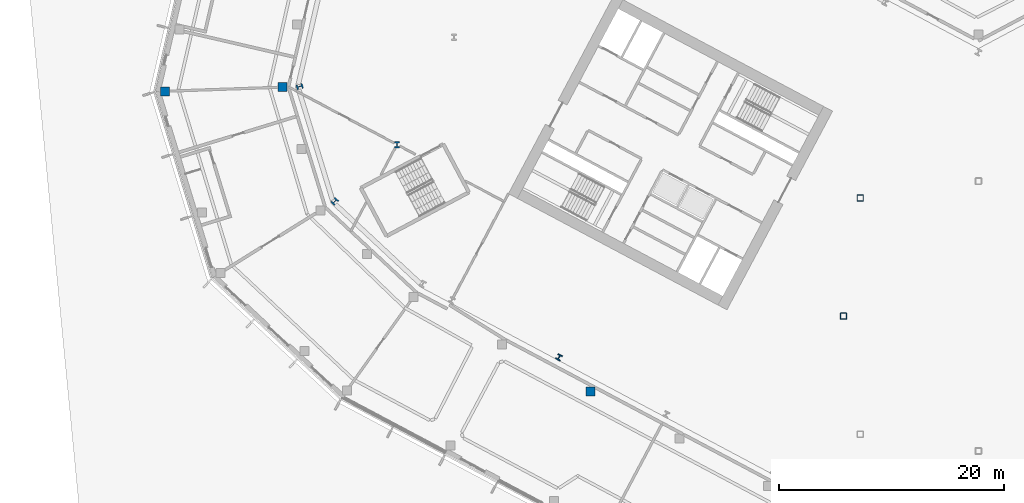
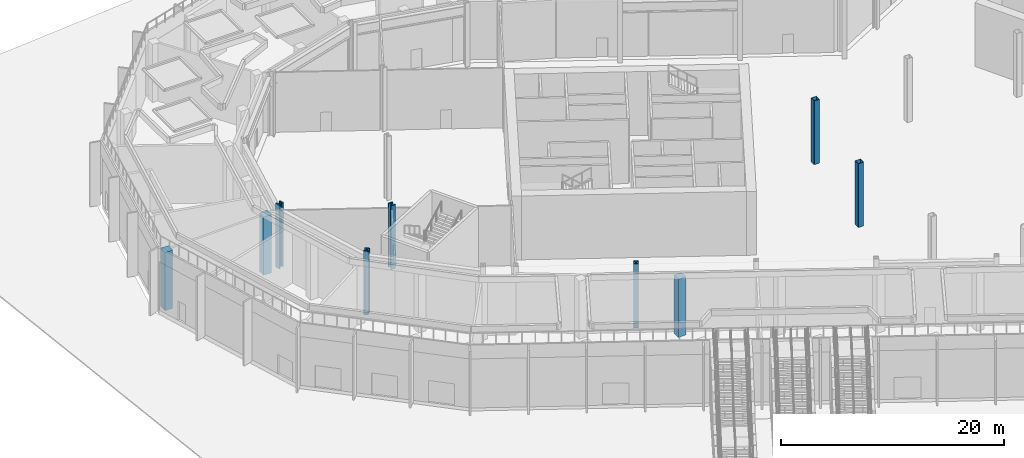
# One storey, part 2 of 57: 9 columns.
"""IFC4 building model written with IfcOpenShell, lengths in metres."""

from ifc_helpers import new_model, si_unit, direction, frame, origin, origin_2d, place, context, subcontext, project, spatial, rectangle, hollow_rectangle, i_section, extrude, material, material_profile, profile_set, type_object, element, save


model = new_model("IFC4")

# Units and contexts
model_context = context("Model", 3, precision=1e-05, world=origin(), true_north=direction((0.0, 1.0)))
body_context = subcontext(model_context, "Body", "Model", "MODEL_VIEW")
ifc_project = project(units=[si_unit("LENGTHUNIT", "METRE"), si_unit("AREAUNIT", "SQUARE_METRE"), si_unit("VOLUMEUNIT", "CUBIC_METRE"), si_unit("PLANEANGLEUNIT", "RADIAN"), si_unit("MASSUNIT", "GRAM", prefix="KILO")], contexts=[model_context])

# Site, building, storey
site_placement = place(None, origin())
site = spatial("IfcSite", under=ifc_project, at=site_placement, CompositionType="ELEMENT")
building_placement = place(site_placement, origin())
building = spatial("IfcBuilding", under=site, at=building_placement, Name="Cormorant Relay Tower", CompositionType="ELEMENT")
storey_placement = place(building_placement, origin())
storey = spatial("IfcBuildingStorey", under=building, at=storey_placement, Name="L00", CompositionType="ELEMENT", Elevation=0.0)

# Columns
ifc_material_1 = material(Name="Concrete 50 MPa", Category="concrete")
ifc_material_profile_1 = material_profile(ifc_material_1, rectangle(XDim=0.800048828125, YDim=0.800048828125, at=origin_2d()), Name="RC 800x800")
ifc_profile_set_1 = profile_set([ifc_material_profile_1], Name="Concrete 50 MPa")
column_type_1 = type_object("IfcColumnType", Name="Base column 800 x 800", PredefinedType="COLUMN", material=ifc_profile_set_1)
for number, where, z_axis, x_axis, name in (
    (1, (-34.465087890625, -6.7041015625, 0.0), (0.0, 0.0, 1.0), (1.0, 0.0, 0.0), "Base column"),
    (2, (-72.30810546875, 19.989013671875, 0.0), (0.0, 0.0, 1.0), (1.0, 0.0, 0.0), "Base column"),
    (3, (-61.85791015625, 20.35400390625, 0.0), (0.0, 0.0, 1.0), (1.0, 0.0, 0.0), "Base column"),
):
    element("IfcColumn", number, at=place(storey_placement, frame(where, z_axis=z_axis, x_axis=x_axis)), inside=storey, type_object=column_type_1, Name=name, PredefinedType="COLUMN", context=body_context, shape_type="SweptSolid", body=[
        extrude(rectangle(XDim=0.800048828125, YDim=0.800048828125, at=origin_2d()), origin(), (0.0, 0.0, 1.0), 6.3701171875),
    ])
ifc_material_2 = material(Name="Steel ASTM A1085 Grade A (Fy 345 MPa)", Category="steel")
ifc_material_profile_2 = material_profile(ifc_material_2, hollow_rectangle(XDim=0.558837890625, YDim=0.558837890625, WallThickness=0.023681640625, InnerFilletRadius=0.01171875, OuterFilletRadius=0.035400390625, at=origin_2d()), Name="HSS559x559x24")
ifc_profile_set_2 = profile_set([ifc_material_profile_2], Name="Steel ASTM A1085 Grade A (Fy 345 MPa)")
column_type_2 = type_object("IfcColumnType", Name="Column HSS559x559x24", PredefinedType="COLUMN", material=ifc_profile_set_2)
for number, where, z_axis, x_axis, name in (
    (4, (-12.0, 0.0, 0.0), (0.0, 0.0, 1.0), (1.0, 0.0, 0.0), "Column L00-015"),
    (5, (-10.5, 10.5, 0.0), (0.0, 0.0, 1.0), (1.0, 0.0, 0.0), "Column L00-022"),
):
    element("IfcColumn", number, at=place(storey_placement, frame(where, z_axis=z_axis, x_axis=x_axis)), inside=storey, type_object=column_type_2, Name=name, PredefinedType="COLUMN", context=body_context, shape_type="SweptSolid", body=[
        extrude(hollow_rectangle(XDim=0.558837890625, YDim=0.558837890625, WallThickness=0.023681640625, InnerFilletRadius=0.01171875, OuterFilletRadius=0.035400390625, at=origin_2d()), origin(), (0.0, 0.0, 1.0), 7.0),
    ])
ifc_material_3 = material(Name="Steel ASTM A992 (Fy 345 MPa)", Category="steel")
ifc_material_profile_3 = material_profile(ifc_material_3, i_section(OverallWidth=0.45458984375, OverallDepth=0.569091796875, WebThickness=0.077880859375, FlangeThickness=0.124755859375, FilletRadius=0.015380859375, at=origin_2d()), Name="W360x1086")
ifc_profile_set_3 = profile_set([ifc_material_profile_3], Name="Steel ASTM A992 (Fy 345 MPa)")
column_type_3 = type_object("IfcColumnType", Name="Column W360x1086", PredefinedType="COLUMN", material=ifc_profile_set_3)
for number, where, z_axis, x_axis, name in (
    (6, (-57.218994140625, 10.198974609375, 0.0), (0.0, 0.0, 1.0), (0.731353701619, -0.681998360062, 0.0), "Column L00-021"),
    (7, (-51.68994140625, 15.251953125, 0.0), (0.0, 0.0, 1.0), (1.0, 0.0, 0.0), "Column L00-027"),
    (8, (-60.340087890625, 20.406982421875, 0.0), (0.0, 0.0, 1.0), (0.292371704723, -0.956304755963, 0.0), "Column L00-030"),
):
    element("IfcColumn", number, at=place(storey_placement, frame(where, z_axis=z_axis, x_axis=x_axis)), inside=storey, type_object=column_type_3, Name=name, PredefinedType="COLUMN", context=body_context, shape_type="SweptSolid", body=[
        extrude(i_section(OverallWidth=0.45458984375, OverallDepth=0.569091796875, WebThickness=0.077880859375, FlangeThickness=0.124755859375, FilletRadius=0.015380859375, at=origin_2d()), origin(), (0.0, 0.0, 1.0), 7.0),
    ])
ifc_material_4 = material(Name="Steel ASTM A992 (Fy 345 MPa)", Category="steel")
ifc_material_profile_4 = material_profile(ifc_material_4, i_section(OverallWidth=0.43701171875, OverallDepth=0.51318359375, WebThickness=0.060546875, FlangeThickness=0.096923828125, FilletRadius=0.015380859375, at=origin_2d()), Name="W360x818")
ifc_profile_set_4 = profile_set([ifc_material_profile_4], Name="Steel ASTM A992 (Fy 345 MPa)")
column_type_4 = type_object("IfcColumnType", Name="Column W360x818", PredefinedType="COLUMN", material=ifc_profile_set_4)
column_placement = place(storey_placement, frame((-37.284912109375, -3.6650390625, 0.0), z_axis=(0.0, 0.0, 1.0), x_axis=(0.882947592859, -0.469471562786, 0.0)))
element("IfcColumn", 9, at=column_placement, inside=storey, type_object=column_type_4, Name="Column L00-013", PredefinedType="COLUMN", context=body_context, shape_type="SweptSolid", body=[
    extrude(i_section(OverallWidth=0.43701171875, OverallDepth=0.51318359375, WebThickness=0.060546875, FlangeThickness=0.096923828125, FilletRadius=0.015380859375, at=origin_2d()), origin(), (0.0, 0.0, 1.0), 7.0),
])

save(model, "model.ifc")
